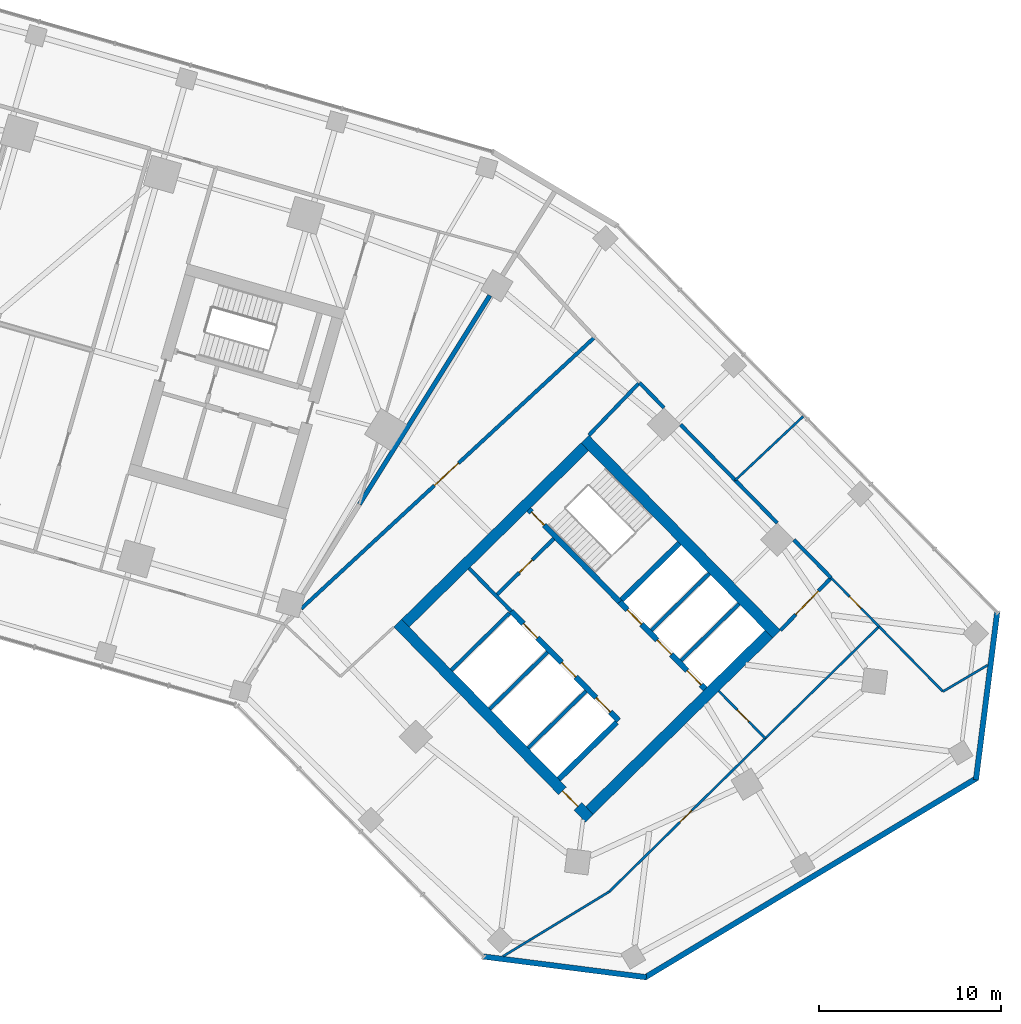
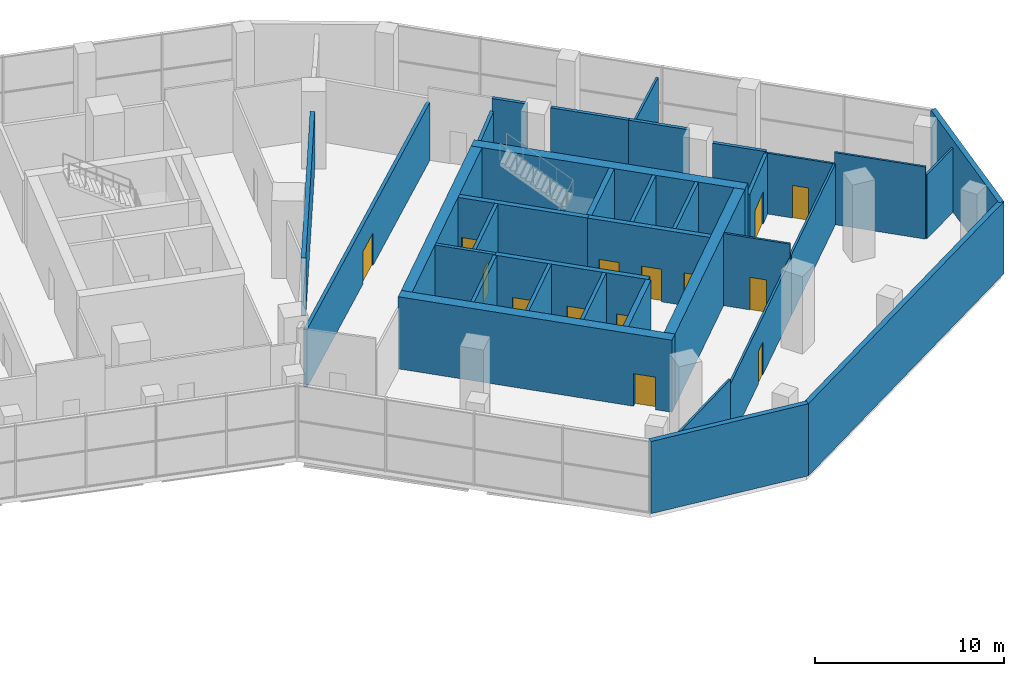
# One storey, part 14 of 18: 35 walls, 14 doors, 14 openings.
"""IFC4 building model written with IfcOpenShell, lengths in metres."""

from ifc_helpers import new_model, si_unit, direction, frame, frame_2d, origin, place, context, subcontext, project, spatial, rectangle, extrude, material, layer, layer_set, type_object, element, fill, save


model = new_model("IFC4")

# Units and contexts
model_context = context("Model", 3, precision=1e-05, world=origin(), true_north=direction((0.0, 1.0)))
body_context = subcontext(model_context, "Body", "Model", "MODEL_VIEW")
ifc_project = project(units=[si_unit("LENGTHUNIT", "METRE"), si_unit("AREAUNIT", "SQUARE_METRE"), si_unit("VOLUMEUNIT", "CUBIC_METRE"), si_unit("PLANEANGLEUNIT", "RADIAN"), si_unit("MASSUNIT", "GRAM", prefix="KILO")], contexts=[model_context])

# Site, building, storey
site_placement = place(None, origin())
site = spatial("IfcSite", under=ifc_project, at=site_placement, CompositionType="ELEMENT")
building_placement = place(site_placement, origin())
building = spatial("IfcBuilding", under=site, at=building_placement, Name="Binnacle Exchange Tower", CompositionType="ELEMENT")
storey_placement = place(building_placement, frame((0.0, 0.0, 6.5)))
storey = spatial("IfcBuildingStorey", under=building, at=storey_placement, Name="L01", CompositionType="ELEMENT", Elevation=6.5)

# Wall, openings, doors
ifc_material_1 = material(Name="Concrete C70/85", Category="concrete")
ifc_layer_1 = layer(ifc_material_1, 0.300048828125)
ifc_layer_set_1 = layer_set([ifc_layer_1], Name="Core wall - front 300")
wall_type_1 = type_object("IfcWallType", Name="Core wall - front 300", PredefinedType="SOLIDWALL", material=ifc_layer_set_1)
wall_1_placement = place(storey_placement, frame((37.8740234375, 41.41552734375, 0.0), z_axis=(0.0, 0.0, 1.0), x_axis=(0.700918271237, -0.71324159795, 0.0)))
wall_1 = element("IfcWall", 1, at=wall_1_placement, inside=storey, type_object=wall_type_1, Name="Core wall CRWB3", PredefinedType="SOLIDWALL", context=body_context, shape_type="SweptSolid", body=[
    extrude(rectangle(XDim=8.39990234375, YDim=0.300048828125, at=frame_2d((4.199951171875, 0.0))), origin(), (0.0, 0.0, 1.0), 4.64990234375),
])
opening_1_placement = place(wall_1_placement, frame((0.949951171875, 0.0, 0.0)))
opening_1 = element("IfcOpeningElement", 2, at=opening_1_placement, cuts=wall_1, Name="Opening LD15", PredefinedType="OPENING", context=body_context, shape_type="SweptSolid", body=[
    extrude(rectangle(XDim=1.10009765625, YDim=2.10009765625, at=frame_2d((0.550048828125, 1.050048828125))), frame((0.0, 0.159912109375, 0.0), z_axis=(0.0, -1.0, 0.0), x_axis=(1.0, 0.0, 0.0)), (0.0, 0.0, 1.0), 0.320068359375),
])
opening_2_placement = place(wall_1_placement, frame((3.949951171875, 0.0, 0.0)))
opening_2 = element("IfcOpeningElement", 3, at=opening_2_placement, cuts=wall_1, Name="Opening LD16", PredefinedType="OPENING", context=body_context, shape_type="SweptSolid", body=[
    extrude(rectangle(XDim=1.10009765625, YDim=2.10009765625, at=frame_2d((0.550048828125, 1.050048828125))), frame((0.0, 0.159912109375, 0.0), z_axis=(0.0, -1.0, 0.0), x_axis=(1.0, 0.0, 0.0)), (0.0, 0.0, 1.0), 0.320068359375),
])
opening_3_placement = place(wall_1_placement, frame((6.64990234375, 0.0, 0.0)))
opening_3 = element("IfcOpeningElement", 4, at=opening_3_placement, cuts=wall_1, Name="Opening LD4", PredefinedType="OPENING", context=body_context, shape_type="SweptSolid", body=[
    extrude(rectangle(XDim=1.10009765625, YDim=2.10009765625, at=frame_2d((0.550048828125, 1.050048828125))), frame((0.0, 0.159912109375, 0.0), z_axis=(0.0, -1.0, 0.0), x_axis=(1.0, 0.0, 0.0)), (0.0, 0.0, 1.0), 0.320068359375),
])
ifc_material_2 = material(Name="Steel door leaf", Category="steel")
door_type_1 = type_object("IfcDoorType", Name="Fire door - lift landing 1100", OperationType="NOTDEFINED", PredefinedType="DOOR", material=ifc_material_2)
door_1_placement = place(opening_1_placement, origin())
door_1 = element("IfcDoor", 5, at=door_1_placement, inside=storey, type_object=door_type_1, Name="Landing door LD15 L01", OperationType="DOUBLE_DOOR_SLIDING", OverallHeight=2.10009765625, OverallWidth=1.10009765625, PredefinedType="DOOR", context=body_context, shape_type="SweptSolid", body=[
    extrude(rectangle(XDim=1.10009765625, YDim=2.10009765625, at=frame_2d((0.550048828125, 1.050048828125))), frame((0.0, 0.02490234375, 0.0), z_axis=(0.0, -1.0, 0.0), x_axis=(1.0, 0.0, 0.0)), (0.0, 0.0, 1.0), 0.050048828125),
])
fill(opening_1, door_1)
door_2_placement = place(opening_2_placement, origin())
door_2 = element("IfcDoor", 6, at=door_2_placement, inside=storey, type_object=door_type_1, Name="Landing door LD16 L01", OperationType="DOUBLE_DOOR_SLIDING", OverallHeight=2.10009765625, OverallWidth=1.10009765625, PredefinedType="DOOR", context=body_context, shape_type="SweptSolid", body=[
    extrude(rectangle(XDim=1.10009765625, YDim=2.10009765625, at=frame_2d((0.550048828125, 1.050048828125))), frame((0.0, 0.02490234375, 0.0), z_axis=(0.0, -1.0, 0.0), x_axis=(1.0, 0.0, 0.0)), (0.0, 0.0, 1.0), 0.050048828125),
])
fill(opening_2, door_2)
door_3_placement = place(opening_3_placement, origin())
door_3 = element("IfcDoor", 7, at=door_3_placement, inside=storey, type_object=door_type_1, Name="Landing door LD4 L01", OperationType="DOUBLE_DOOR_SLIDING", OverallHeight=2.10009765625, OverallWidth=1.10009765625, PredefinedType="DOOR", context=body_context, shape_type="SweptSolid", body=[
    extrude(rectangle(XDim=1.10009765625, YDim=2.10009765625, at=frame_2d((0.550048828125, 1.050048828125))), frame((0.0, 0.02490234375, 0.0), z_axis=(0.0, -1.0, 0.0), x_axis=(1.0, 0.0, 0.0)), (0.0, 0.0, 1.0), 0.050048828125),
])
fill(opening_3, door_3)

wall_2_placement = place(storey_placement, frame((43.818603515625, 41.92919921875, 0.0), z_axis=(0.0, 0.0, 1.0), x_axis=(0.700921619155, -0.713238307862, 0.0)))
wall_2 = element("IfcWall", 8, at=wall_2_placement, inside=storey, type_object=wall_type_1, Name="Core wall CRWB5", PredefinedType="SOLIDWALL", context=body_context, shape_type="SweptSolid", body=[
    extrude(rectangle(XDim=6.69970703125, YDim=0.300048828125, at=frame_2d((3.349853515625, 0.0))), origin(), (0.0, 0.0, 1.0), 4.64990234375),
])
opening_4_placement = place(wall_2_placement, frame((0.614990234375, 0.0, 0.0)))
opening_4 = element("IfcOpeningElement", 9, at=opening_4_placement, cuts=wall_2, Name="Opening LD1", PredefinedType="OPENING", context=body_context, shape_type="SweptSolid", body=[
    extrude(rectangle(XDim=1.10009765625, YDim=2.10009765625, at=frame_2d((0.550048828125, 1.050048828125))), frame((0.0, 0.159912109375, 0.0), z_axis=(0.0, -1.0, 0.0), x_axis=(1.0, 0.0, 0.0)), (0.0, 0.0, 1.0), 0.320068359375),
])
opening_5_placement = place(wall_2_placement, frame((2.945068359375, 0.0, 0.0)))
opening_5 = element("IfcOpeningElement", 10, at=opening_5_placement, cuts=wall_2, Name="Opening LD2", PredefinedType="OPENING", context=body_context, shape_type="SweptSolid", body=[
    extrude(rectangle(XDim=1.10009765625, YDim=2.10009765625, at=frame_2d((0.550048828125, 1.050048828125))), frame((0.0, 0.159912109375, 0.0), z_axis=(0.0, -1.0, 0.0), x_axis=(1.0, 0.0, 0.0)), (0.0, 0.0, 1.0), 0.320068359375),
])
opening_6_placement = place(wall_2_placement, frame((5.280029296875, 0.0, 0.0)))
opening_6 = element("IfcOpeningElement", 11, at=opening_6_placement, cuts=wall_2, Name="Opening LD3", PredefinedType="OPENING", context=body_context, shape_type="SweptSolid", body=[
    extrude(rectangle(XDim=1.10009765625, YDim=2.10009765625, at=frame_2d((0.550048828125, 1.050048828125))), frame((0.0, 0.159912109375, 0.0), z_axis=(0.0, -1.0, 0.0), x_axis=(1.0, 0.0, 0.0)), (0.0, 0.0, 1.0), 0.320068359375),
])
door_4_placement = place(opening_4_placement, origin())
door_4 = element("IfcDoor", 12, at=door_4_placement, inside=storey, type_object=door_type_1, Name="Landing door LD1 L01", OperationType="DOUBLE_DOOR_SLIDING", OverallHeight=2.10009765625, OverallWidth=1.10009765625, PredefinedType="DOOR", context=body_context, shape_type="SweptSolid", body=[
    extrude(rectangle(XDim=1.10009765625, YDim=2.10009765625, at=frame_2d((0.550048828125, 1.050048828125))), frame((0.0, 0.02490234375, 0.0), z_axis=(0.0, -1.0, 0.0), x_axis=(1.0, 0.0, 0.0)), (0.0, 0.0, 1.0), 0.050048828125),
])
fill(opening_4, door_4)
door_5_placement = place(opening_5_placement, origin())
door_5 = element("IfcDoor", 13, at=door_5_placement, inside=storey, type_object=door_type_1, Name="Landing door LD2 L01", OperationType="DOUBLE_DOOR_SLIDING", OverallHeight=2.10009765625, OverallWidth=1.10009765625, PredefinedType="DOOR", context=body_context, shape_type="SweptSolid", body=[
    extrude(rectangle(XDim=1.10009765625, YDim=2.10009765625, at=frame_2d((0.550048828125, 1.050048828125))), frame((0.0, 0.02490234375, 0.0), z_axis=(0.0, -1.0, 0.0), x_axis=(1.0, 0.0, 0.0)), (0.0, 0.0, 1.0), 0.050048828125),
])
fill(opening_5, door_5)
door_6_placement = place(opening_6_placement, origin())
door_6 = element("IfcDoor", 14, at=door_6_placement, inside=storey, type_object=door_type_1, Name="Landing door LD3 L01", OperationType="DOUBLE_DOOR_SLIDING", OverallHeight=2.10009765625, OverallWidth=1.10009765625, PredefinedType="DOOR", context=body_context, shape_type="SweptSolid", body=[
    extrude(rectangle(XDim=1.10009765625, YDim=2.10009765625, at=frame_2d((0.550048828125, 1.050048828125))), frame((0.0, 0.02490234375, 0.0), z_axis=(0.0, -1.0, 0.0), x_axis=(1.0, 0.0, 0.0)), (0.0, 0.0, 1.0), 0.050048828125),
])
fill(opening_6, door_6)

# Wall
wall_3_placement = place(storey_placement, frame((40.480712890625, 32.199951171875, 0.0), z_axis=(0.0, 0.0, 1.0), x_axis=(0.713251741427, 0.700907949271, 0.0)))
element("IfcWall", 15, at=wall_3_placement, inside=storey, type_object=wall_type_1, Name="Core wall CRWB14", PredefinedType="SOLIDWALL", context=body_context, shape_type="SweptSolid", body=[
    extrude(rectangle(XDim=4.4501953125, YDim=0.300048828125, at=frame_2d((2.22509765625, 0.0))), origin(), (0.0, 0.0, 1.0), 4.64990234375),
])

# Wall, opening, door
ifc_layer_2 = layer(ifc_material_1, 0.60009765625)
ifc_layer_set_2 = layer_set([ifc_layer_2], Name="Core wall - outer 600")
wall_type_2 = type_object("IfcWallType", Name="Core wall - outer 600", PredefinedType="SOLIDWALL", material=ifc_layer_set_2)
wall_4_placement = place(storey_placement, frame((31.6455078125, 40.7626953125, 0.0), z_axis=(0.0, 0.0, 1.0), x_axis=(0.700911255944, -0.713248491965, 0.0)))
wall_4 = element("IfcWall", 16, at=wall_4_placement, inside=storey, type_object=wall_type_2, Name="Core wall CRWB1", PredefinedType="SOLIDWALL", context=body_context, shape_type="SweptSolid", body=[
    extrude(rectangle(XDim=15.0, YDim=0.60009765625, at=frame_2d((7.5, 0.0))), origin(), (0.0, 0.0, 1.0), 4.64990234375),
])
opening_7_placement = place(wall_4_placement, frame((12.89990234375, 0.0, 0.0)))
opening_7 = element("IfcOpeningElement", 17, at=opening_7_placement, cuts=wall_4, Name="Opening DB7", PredefinedType="OPENING", context=body_context, shape_type="SweptSolid", body=[
    extrude(rectangle(XDim=1.199951171875, YDim=2.10009765625, at=frame_2d((0.60009765625, 1.050048828125))), frame((0.0, 0.31005859375, 0.0), z_axis=(0.0, -1.0, 0.0), x_axis=(1.0, 0.0, 0.0)), (0.0, 0.0, 1.0), 0.6201171875),
])
door_type_2 = type_object("IfcDoorType", Name="Fire door 1200", OperationType="NOTDEFINED", PredefinedType="DOOR", material=ifc_material_2)
door_7_placement = place(opening_7_placement, frame((1.199951171875, 0.0, 0.0), z_axis=(0.0, 0.0, 1.0), x_axis=(-1.0, 0.0, 0.0)))
door_7 = element("IfcDoor", 18, at=door_7_placement, inside=storey, type_object=door_type_2, Name="Lift lobby entrance door core B", OperationType="SINGLE_SWING_LEFT", OverallHeight=2.10009765625, OverallWidth=1.199951171875, PredefinedType="DOOR", context=body_context, shape_type="SweptSolid", body=[
    extrude(rectangle(XDim=1.199951171875, YDim=2.10009765625, at=frame_2d((0.60009765625, 1.050048828125))), frame((0.0, 0.02490234375, 0.0), z_axis=(0.0, -1.0, 0.0), x_axis=(1.0, 0.0, 0.0)), (0.0, 0.0, 1.0), 0.050048828125),
])
fill(opening_7, door_7)

# Walls
wall_5_placement = place(storey_placement, frame((41.91650390625, 50.855712890625, 0.0), z_axis=(0.0, 0.0, 1.0), x_axis=(0.700911255944, -0.713248491965, 0.0)))
element("IfcWall", 19, at=wall_5_placement, inside=storey, type_object=wall_type_2, Name="Core wall CRWB6", PredefinedType="SOLIDWALL", context=body_context, shape_type="SweptSolid", body=[
    extrude(rectangle(XDim=15.0, YDim=0.60009765625, at=frame_2d((7.5, 0.0))), origin(), (0.0, 0.0, 1.0), 4.64990234375),
])
for number, where, z_axis, x_axis, name in (
    (20, (32.06982421875, 40.759033203125, 0.0), (0.0, 0.0, 1.0), (0.713245344712, 0.70091445858, 0.0), "Core wall CRWB7"),
    (21, (42.1630859375, 30.48828125, 0.0), (0.0, 0.0, 1.0), (0.713245344712, 0.70091445858, 0.0), "Core wall CRWB16"),
):
    element("IfcWall", number, at=place(storey_placement, frame(where, z_axis=z_axis, x_axis=x_axis)), inside=storey, type_object=wall_type_2, Name=name, PredefinedType="SOLIDWALL", context=body_context, shape_type="SweptSolid", body=[
        extrude(rectangle(XDim=13.800048828125, YDim=0.60009765625, at=frame_2d((6.89990234375, 0.0))), origin(), (0.0, 0.0, 1.0), 4.64990234375),
    ])

# Wall, opening, door
ifc_layer_3 = layer(ifc_material_1, 0.300048828125)
ifc_layer_set_3 = layer_set([ifc_layer_3], Name="Core wall - stair 300")
wall_type_3 = type_object("IfcWallType", Name="Core wall - stair 300", PredefinedType="SOLIDWALL", material=ifc_layer_set_3)
wall_6_placement = place(storey_placement, frame((38.842041015625, 46.993408203125, 0.0), z_axis=(0.0, 0.0, 1.0), x_axis=(0.700907701701, -0.713251984713, 0.0)))
wall_6 = element("IfcWall", 22, at=wall_6_placement, inside=storey, type_object=wall_type_3, Name="Core wall CRWB4", PredefinedType="SOLIDWALL", context=body_context, shape_type="SweptSolid", body=[
    extrude(rectangle(XDim=7.10009765625, YDim=0.300048828125, at=frame_2d((3.550048828125, 0.0))), origin(), (0.0, 0.0, 1.0), 4.64990234375),
])
opening_8_placement = place(wall_6_placement, frame((0.199951171875, 0.0, 0.0)))
opening_8 = element("IfcOpeningElement", 23, at=opening_8_placement, cuts=wall_6, Name="Opening DB1", PredefinedType="OPENING", context=body_context, shape_type="SweptSolid", body=[
    extrude(rectangle(XDim=1.0, YDim=2.10009765625, at=frame_2d((0.5, 1.050048828125))), frame((0.0, 0.159912109375, 0.0), z_axis=(0.0, -1.0, 0.0), x_axis=(1.0, 0.0, 0.0)), (0.0, 0.0, 1.0), 0.320068359375),
])
door_type_3 = type_object("IfcDoorType", Name="Fire door 1000", OperationType="NOTDEFINED", PredefinedType="DOOR", material=ifc_material_2)
door_8_placement = place(opening_8_placement, origin())
door_8 = element("IfcDoor", 24, at=door_8_placement, inside=storey, type_object=door_type_3, Name="Stair door ST-B1", OperationType="SINGLE_SWING_LEFT", OverallHeight=2.10009765625, OverallWidth=1.0, PredefinedType="DOOR", context=body_context, shape_type="SweptSolid", body=[
    extrude(rectangle(XDim=1.0, YDim=2.10009765625, at=frame_2d((0.5, 1.050048828125))), frame((0.0, 0.02490234375, 0.0), z_axis=(0.0, -1.0, 0.0), x_axis=(1.0, 0.0, 0.0)), (0.0, 0.0, 1.0), 0.050048828125),
])
fill(opening_8, door_8)

# Walls
wall_7_placement = place(storey_placement, frame((43.925537109375, 42.034423828125, 0.0), z_axis=(0.0, 0.0, 1.0), x_axis=(0.713251741427, 0.700907949271, 0.0)))
element("IfcWall", 25, at=wall_7_placement, inside=storey, type_object=wall_type_3, Name="Core wall CRWB11", PredefinedType="SOLIDWALL", context=body_context, shape_type="SweptSolid", body=[
    extrude(rectangle(XDim=4.4501953125, YDim=0.300048828125, at=frame_2d((2.22509765625, 0.0))), origin(), (0.0, 0.0, 1.0), 4.64990234375),
])
ifc_material_3 = material(Name="Bronze aluminium louvre", Category="aluminium")
ifc_layer_4 = layer(ifc_material_3, 0.300048828125)
ifc_layer_set_4 = layer_set([ifc_layer_4], Name="External wall - podium louvre 300")
wall_type_4 = type_object("IfcWallType", Name="External wall - podium louvre 300", PredefinedType="STANDARD", material=ifc_layer_set_4)
wall_8_placement = place(storey_placement, frame((45.28466796875, 21.339111328125, 0.0), z_axis=(0.0, 0.0, 1.0), x_axis=(-0.992004683779, 0.126201059267, 0.0)))
element("IfcWall", 26, at=wall_8_placement, inside=storey, type_object=wall_type_4, Name="External wall EW-P09 L01", PredefinedType="STANDARD", context=body_context, shape_type="SweptSolid", body=[
    extrude(rectangle(XDim=9.028564453125, YDim=0.300048828125, at=frame_2d((4.51416015625, 0.0))), origin(), (0.0, 0.0, 1.0), 4.64990234375),
])
wall_9_placement = place(storey_placement, frame((63.432373046875, 32.28076171875, 0.0), z_axis=(0.0, 0.0, 1.0), x_axis=(-0.85716989082, -0.515033764206, 0.0)))
element("IfcWall", 27, at=wall_9_placement, inside=storey, type_object=wall_type_4, Name="External wall EW-P10 L01", PredefinedType="STANDARD", context=body_context, shape_type="SweptSolid", body=[
    extrude(rectangle(XDim=21.283935546875, YDim=0.300048828125, at=frame_2d((10.64208984375, 0.0))), origin(), (0.0, 0.0, 1.0), 4.64990234375),
])
wall_10_placement = place(storey_placement, frame((64.5341796875, 41.39453125, 0.0), z_axis=(0.0, 0.0, 1.0), x_axis=(-0.126196492818, -0.992005264704, 0.0)))
element("IfcWall", 28, at=wall_10_placement, inside=storey, type_object=wall_type_4, Name="External wall EW-P11 L01", PredefinedType="STANDARD", context=body_context, shape_type="SweptSolid", body=[
    extrude(rectangle(XDim=9.297607421875, YDim=0.300048828125, at=frame_2d((4.64892578125, 0.0))), origin(), (0.0, 0.0, 1.0), 4.64990234375),
])

# Wall, opening, door
ifc_material_4 = material(Name="Masonry block wall", Category="masonry")
ifc_layer_5 = layer(ifc_material_4, 0.199951171875)
ifc_layer_set_5 = layer_set([ifc_layer_5], Name="Fire wall - block 200")
wall_type_5 = type_object("IfcWallType", Name="Fire wall - block 200", PredefinedType="PARTITIONING", material=ifc_layer_set_5)
wall_11_placement = place(storey_placement, frame((26.35595703125, 41.556884765625, 0.0), z_axis=(0.0, 0.0, 1.0), x_axis=(0.734047402287, 0.679098233834, 0.0)))
wall_11 = element("IfcWall", 29, at=wall_11_placement, inside=storey, type_object=wall_type_5, Name="Partition W71", PredefinedType="PARTITIONING", context=body_context, shape_type="SweptSolid", body=[
    extrude(rectangle(XDim=21.92626953125, YDim=0.199951171875, at=frame_2d((10.963134765625, 0.0))), origin(), (0.0, 0.0, 1.0), 3.72998046875),
])
opening_9_placement = place(wall_11_placement, frame((9.949951171875, 0.0, 0.0)))
opening_9 = element("IfcOpeningElement", 30, at=opening_9_placement, cuts=wall_11, Name="Opening DL01-29", PredefinedType="OPENING", context=body_context, shape_type="SweptSolid", body=[
    extrude(rectangle(XDim=1.800048828125, YDim=2.10009765625, at=frame_2d((0.89990234375, 1.050048828125))), frame((0.0, 0.10986328125, 0.0), z_axis=(0.0, -1.0, 0.0), x_axis=(1.0, 0.0, 0.0)), (0.0, 0.0, 1.0), 0.219970703125),
])
door_type_4 = type_object("IfcDoorType", Name="Fire door 1800", OperationType="NOTDEFINED", PredefinedType="DOOR", material=ifc_material_2)
door_9_placement = place(opening_9_placement, origin())
door_9 = element("IfcDoor", 31, at=door_9_placement, inside=storey, type_object=door_type_4, Name="Door DL01-29", OperationType="DOUBLE_DOOR_SINGLE_SWING", OverallHeight=2.10009765625, OverallWidth=1.800048828125, PredefinedType="DOOR", context=body_context, shape_type="SweptSolid", body=[
    extrude(rectangle(XDim=1.800048828125, YDim=2.10009765625, at=frame_2d((0.89990234375, 1.050048828125))), frame((0.0, 0.02490234375, 0.0), z_axis=(0.0, -1.0, 0.0), x_axis=(1.0, 0.0, 0.0)), (0.0, 0.0, 1.0), 0.050048828125),
])
fill(opening_9, door_9)

# Walls
wall_12_placement = place(storey_placement, frame((42.1298828125, 51.06591796875, 0.0), z_axis=(0.0, 0.0, 1.0), x_axis=(0.693124563472, 0.720817826855, 0.0)))
element("IfcWall", 32, at=wall_12_placement, inside=storey, type_object=wall_type_5, Name="Partition W84", PredefinedType="PARTITIONING", context=body_context, shape_type="SweptSolid", body=[
    extrude(rectangle(XDim=4.00244140625, YDim=0.199951171875, at=frame_2d((2.001220703125, 0.0))), origin(), (0.0, 0.0, 1.0), 3.830078125),
])
wall_13_placement = place(storey_placement, frame((44.904052734375, 53.950927734375, 0.0), z_axis=(0.0, 0.0, 1.0), x_axis=(0.7008501288, -0.713308556629, 0.0)))
element("IfcWall", 33, at=wall_13_placement, inside=storey, type_object=wall_type_5, Name="Partition W87", PredefinedType="PARTITIONING", context=body_context, shape_type="SweptSolid", body=[
    extrude(rectangle(XDim=1.92041015625, YDim=0.199951171875, at=frame_2d((0.960205078125, 0.0))), origin(), (0.0, 0.0, 1.0), 4.64990234375),
])
wall_14_placement = place(storey_placement, frame((47.162109375, 51.654052734375, 0.0), z_axis=(0.0, 0.0, 1.0), x_axis=(0.700745868246, -0.713410981228, 0.0)))
element("IfcWall", 34, at=wall_14_placement, inside=storey, type_object=wall_type_5, Name="Partition W88", PredefinedType="PARTITIONING", context=body_context, shape_type="SweptSolid", body=[
    extrude(rectangle(XDim=4.279296875, YDim=0.199951171875, at=frame_2d((2.1396484375, 0.0))), origin(), (0.0, 0.0, 1.0), 4.64990234375),
])
wall_15_placement = place(storey_placement, frame((50.160888671875, 48.60107421875, 0.0), z_axis=(0.0, 0.0, 1.0), x_axis=(0.701000458272, -0.713160821626, 0.0)))
element("IfcWall", 35, at=wall_15_placement, inside=storey, type_object=wall_type_5, Name="Partition W90", PredefinedType="PARTITIONING", context=body_context, shape_type="SweptSolid", body=[
    extrude(rectangle(XDim=3.29248046875, YDim=0.199951171875, at=frame_2d((1.646240234375, 0.0))), origin(), (0.0, 0.0, 1.0), 4.64990234375),
])

# Wall, opening, door
wall_16_placement = place(storey_placement, frame((52.64404296875, 40.366943359375, 0.0), z_axis=(0.0, 0.0, 1.0), x_axis=(0.693092868026, 0.720848303245, 0.0)))
wall_16 = element("IfcWall", 36, at=wall_16_placement, inside=storey, type_object=wall_type_5, Name="Partition W93", PredefinedType="PARTITIONING", context=body_context, shape_type="SweptSolid", body=[
    extrude(rectangle(XDim=4.002197265625, YDim=0.199951171875, at=frame_2d((2.0009765625, 0.0))), origin(), (0.0, 0.0, 1.0), 3.922119140625),
])
opening_10_placement = place(wall_16_placement, frame((1.199951171875, 0.0, 0.0)))
opening_10 = element("IfcOpeningElement", 37, at=opening_10_placement, cuts=wall_16, Name="Opening DL01-31", PredefinedType="OPENING", context=body_context, shape_type="SweptSolid", body=[
    extrude(rectangle(XDim=1.800048828125, YDim=2.10009765625, at=frame_2d((0.89990234375, 1.050048828125))), frame((0.0, 0.10986328125, 0.0), z_axis=(0.0, -1.0, 0.0), x_axis=(1.0, 0.0, 0.0)), (0.0, 0.0, 1.0), 0.219970703125),
])
door_10_placement = place(opening_10_placement, origin())
door_10 = element("IfcDoor", 38, at=door_10_placement, inside=storey, type_object=door_type_4, Name="Door DL01-31", OperationType="DOUBLE_DOOR_SINGLE_SWING", OverallHeight=2.10009765625, OverallWidth=1.800048828125, PredefinedType="DOOR", context=body_context, shape_type="SweptSolid", body=[
    extrude(rectangle(XDim=1.800048828125, YDim=2.10009765625, at=frame_2d((0.89990234375, 1.050048828125))), frame((0.0, 0.02490234375, 0.0), z_axis=(0.0, -1.0, 0.0), x_axis=(1.0, 0.0, 0.0)), (0.0, 0.0, 1.0), 0.050048828125),
])
fill(opening_10, door_10)

# Walls
wall_17_placement = place(storey_placement, frame((53.3798828125, 45.325927734375, 0.0), z_axis=(0.0, 0.0, 1.0), x_axis=(0.700908698341, -0.71325100532, 0.0)))
element("IfcWall", 39, at=wall_17_placement, inside=storey, type_object=wall_type_5, Name="Partition W94", PredefinedType="PARTITIONING", context=body_context, shape_type="SweptSolid", body=[
    extrude(rectangle(XDim=2.90771484375, YDim=0.199951171875, at=frame_2d((1.453857421875, 0.0))), origin(), (0.0, 0.0, 1.0), 4.030029296875),
])
ifc_material_5 = material(Name="Concrete fire wall C30/37", Category="concrete")
ifc_layer_6 = layer(ifc_material_5, 0.25)
ifc_layer_set_6 = layer_set([ifc_layer_6], Name="Fire wall - compartment 250")
wall_type_6 = type_object("IfcWallType", Name="Fire wall - compartment 250", PredefinedType="PARTITIONING", material=ifc_layer_set_6)
wall_18_placement = place(storey_placement, frame((29.54296875, 47.279052734375, 0.0), z_axis=(0.0, 0.0, 1.0), x_axis=(0.529929076845, 0.848041964477, 0.0)))
element("IfcWall", 40, at=wall_18_placement, inside=storey, type_object=wall_type_6, Name="Fire Wall W76", PredefinedType="PARTITIONING", context=body_context, shape_type="SweptSolid", body=[
    extrude(rectangle(XDim=13.50732421875, YDim=0.25, at=frame_2d((6.753662109375, 0.0))), origin(), (0.0, 0.0, 1.0), 3.72998046875),
])

# Wall, opening, door
ifc_layer_7 = layer(ifc_material_4, 0.199951171875)
ifc_layer_set_7 = layer_set([ifc_layer_7], Name="Fire wall - vestibule 200")
wall_type_7 = type_object("IfcWallType", Name="Fire wall - vestibule 200", PredefinedType="PARTITIONING", material=ifc_layer_set_7)
wall_19_placement = place(storey_placement, frame((37.104248046875, 42.341552734375, 0.0), z_axis=(0.0, 0.0, 1.0), x_axis=(0.713281298468, 0.700877870428, 0.0)))
wall_19 = element("IfcWall", 41, at=wall_19_placement, inside=storey, type_object=wall_type_7, Name="Core wall CRWB8", PredefinedType="PARTITIONING", context=body_context, shape_type="SweptSolid", body=[
    extrude(rectangle(XDim=4.35009765625, YDim=0.199951171875, at=frame_2d((2.175048828125, 0.0))), origin(), (0.0, 0.0, 1.0), 4.64990234375),
])
opening_11_placement = place(wall_19_placement, frame((1.699951171875, 0.0, 0.0)))
opening_11 = element("IfcOpeningElement", 42, at=opening_11_placement, cuts=wall_19, Name="Opening DB3", PredefinedType="OPENING", context=body_context, shape_type="SweptSolid", body=[
    extrude(rectangle(XDim=1.0, YDim=2.10009765625, at=frame_2d((0.5, 1.050048828125))), frame((0.0, 0.10986328125, 0.0), z_axis=(0.0, -1.0, 0.0), x_axis=(1.0, 0.0, 0.0)), (0.0, 0.0, 1.0), 0.219970703125),
])
door_11_placement = place(opening_11_placement, origin())
door_11 = element("IfcDoor", 43, at=door_11_placement, inside=storey, type_object=door_type_3, Name="Vestibule door VEST-W", OperationType="SINGLE_SWING_RIGHT", OverallHeight=2.10009765625, OverallWidth=1.0, PredefinedType="DOOR", context=body_context, shape_type="SweptSolid", body=[
    extrude(rectangle(XDim=1.0, YDim=2.10009765625, at=frame_2d((0.5, 1.050048828125))), frame((0.0, 0.02490234375, 0.0), z_axis=(0.0, -1.0, 0.0), x_axis=(1.0, 0.0, 0.0)), (0.0, 0.0, 1.0), 0.050048828125),
])
fill(opening_11, door_11)

# Wall
ifc_material_6 = material(Name="Gypsum partition")
ifc_layer_8 = layer(ifc_material_6, 0.125)
ifc_layer_set_8 = layer_set([ifc_layer_8], Name="Partition 125")
wall_type_8 = type_object("IfcWallType", Name="Partition 125", PredefinedType="PARTITIONING", material=ifc_layer_set_8)
wall_20_placement = place(storey_placement, frame((37.426025390625, 22.489990234375, 0.0), z_axis=(0.0, 0.0, 1.0), x_axis=(0.854177797602, 0.519981047812, 0.0)))
element("IfcWall", 44, at=wall_20_placement, inside=storey, type_object=wall_type_8, Name="Partition W81", PredefinedType="PARTITIONING", context=body_context, shape_type="SweptSolid", body=[
    extrude(rectangle(XDim=6.813720703125, YDim=0.125, at=frame_2d((3.40673828125, 0.0))), origin(), (0.0, 0.0, 1.0), 4.02392578125),
])

# Wall, opening, door
wall_21_placement = place(storey_placement, frame((43.24609375, 26.032958984375, 0.0), z_axis=(0.0, 0.0, 1.0), x_axis=(0.713234358052, 0.700925638349, 0.0)))
wall_21 = element("IfcWall", 45, at=wall_21_placement, inside=storey, type_object=wall_type_8, Name="Partition W86", PredefinedType="PARTITIONING", context=body_context, shape_type="SweptSolid", body=[
    extrude(rectangle(XDim=12.0, YDim=0.125, at=frame_2d((6.0, 0.0))), origin(), (0.0, 0.0, 1.0), 3.718017578125),
])
opening_12_placement = place(wall_21_placement, frame((5.449951171875, 0.0, 0.0)))
opening_12 = element("IfcOpeningElement", 46, at=opening_12_placement, cuts=wall_21, Name="Opening DL01-30", PredefinedType="OPENING", context=body_context, shape_type="SweptSolid", body=[
    extrude(rectangle(XDim=0.89990234375, YDim=2.10009765625, at=frame_2d((0.449951171875, 1.050048828125))), frame((0.0, 0.072509765625, 0.0), z_axis=(0.0, -1.0, 0.0), x_axis=(1.0, 0.0, 0.0)), (0.0, 0.0, 1.0), 0.14501953125),
])
ifc_material_7 = material(Name="Timber door leaf", Category="wood")
door_type_5 = type_object("IfcDoorType", Name="Door 900", OperationType="NOTDEFINED", PredefinedType="DOOR", material=ifc_material_7)
door_12_placement = place(opening_12_placement, frame((0.89990234375, 0.0, 0.0), z_axis=(0.0, 0.0, 1.0), x_axis=(-1.0, 0.0, 0.0)))
door_12 = element("IfcDoor", 47, at=door_12_placement, inside=storey, type_object=door_type_5, Name="Door DL01-30", OperationType="SINGLE_SWING_RIGHT", OverallHeight=2.10009765625, OverallWidth=0.89990234375, PredefinedType="DOOR", context=body_context, shape_type="SweptSolid", body=[
    extrude(rectangle(XDim=0.89990234375, YDim=2.10009765625, at=frame_2d((0.449951171875, 1.050048828125))), frame((0.0, 0.02490234375, 0.0), z_axis=(0.0, -1.0, 0.0), x_axis=(1.0, 0.0, 0.0)), (0.0, 0.0, 1.0), 0.050048828125),
])
fill(opening_12, door_12)

wall_22_placement = place(storey_placement, frame((49.256103515625, 37.0380859375, 0.0), z_axis=(0.0, 0.0, 1.0), x_axis=(0.700869700408, -0.713289326325, 0.0)))
wall_22 = element("IfcWall", 48, at=wall_22_placement, inside=storey, type_object=wall_type_8, Name="Partition W89", PredefinedType="PARTITIONING", context=body_context, shape_type="SweptSolid", body=[
    extrude(rectangle(XDim=3.63671875, YDim=0.125, at=frame_2d((1.818359375, 0.0))), origin(), (0.0, 0.0, 1.0), 4.64990234375),
])
opening_13_placement = place(wall_22_placement, frame((1.449951171875, 0.0, 0.0)))
opening_13 = element("IfcOpeningElement", 49, at=opening_13_placement, cuts=wall_22, Name="Opening DL01-26", PredefinedType="OPENING", context=body_context, shape_type="SweptSolid", body=[
    extrude(rectangle(XDim=0.89990234375, YDim=2.10009765625, at=frame_2d((0.449951171875, 1.050048828125))), frame((0.0, 0.072509765625, 0.0), z_axis=(0.0, -1.0, 0.0), x_axis=(1.0, 0.0, 0.0)), (0.0, 0.0, 1.0), 0.14501953125),
])
door_13_placement = place(opening_13_placement, origin())
door_13 = element("IfcDoor", 50, at=door_13_placement, inside=storey, type_object=door_type_5, Name="Door DL01-26", OperationType="SINGLE_SWING_RIGHT", OverallHeight=2.10009765625, OverallWidth=0.89990234375, PredefinedType="DOOR", context=body_context, shape_type="SweptSolid", body=[
    extrude(rectangle(XDim=0.89990234375, YDim=2.10009765625, at=frame_2d((0.449951171875, 1.050048828125))), frame((0.0, 0.02490234375, 0.0), z_axis=(0.0, -1.0, 0.0), x_axis=(1.0, 0.0, 0.0)), (0.0, 0.0, 1.0), 0.050048828125),
])
fill(opening_13, door_13)

# Walls
wall_23_placement = place(storey_placement, frame((50.160888671875, 48.60107421875, 0.0), z_axis=(0.0, 0.0, 1.0), x_axis=(0.728418768666, 0.685132175172, 0.0)))
element("IfcWall", 51, at=wall_23_placement, inside=storey, type_object=wall_type_8, Name="Partition W91", PredefinedType="PARTITIONING", context=body_context, shape_type="SweptSolid", body=[
    extrude(rectangle(XDim=5.10986328125, YDim=0.125, at=frame_2d((2.554931640625, 0.0))), origin(), (0.0, 0.0, 1.0), 3.929931640625),
])
wall_24_placement = place(storey_placement, frame((51.804931640625, 34.444091796875, 0.0), z_axis=(0.0, 0.0, 1.0), x_axis=(0.713260075739, 0.700899468081, 0.0)))
element("IfcWall", 52, at=wall_24_placement, inside=storey, type_object=wall_type_8, Name="Partition W92", PredefinedType="PARTITIONING", context=body_context, shape_type="SweptSolid", body=[
    extrude(rectangle(XDim=8.75, YDim=0.125, at=frame_2d((4.375, 0.0))), origin(), (0.0, 0.0, 1.0), 3.922119140625),
])

# Wall, opening, door
wall_25_placement = place(storey_placement, frame((55.41796875, 43.251953125, 0.0), z_axis=(0.0, 0.0, 1.0), x_axis=(0.700796183651, -0.71336155558, 0.0)))
wall_25 = element("IfcWall", 53, at=wall_25_placement, inside=storey, type_object=wall_type_8, Name="Partition W95", PredefinedType="PARTITIONING", context=body_context, shape_type="SweptSolid", body=[
    extrude(rectangle(XDim=3.75, YDim=0.125, at=frame_2d((1.875, 0.0))), origin(), (0.0, 0.0, 1.0), 3.922119140625),
])
opening_14_placement = place(wall_25_placement, frame((1.449951171875, 0.0, 0.0)))
opening_14 = element("IfcOpeningElement", 54, at=opening_14_placement, cuts=wall_25, Name="Opening DL01-28", PredefinedType="OPENING", context=body_context, shape_type="SweptSolid", body=[
    extrude(rectangle(XDim=0.89990234375, YDim=2.10009765625, at=frame_2d((0.449951171875, 1.050048828125))), frame((0.0, 0.072509765625, 0.0), z_axis=(0.0, -1.0, 0.0), x_axis=(1.0, 0.0, 0.0)), (0.0, 0.0, 1.0), 0.14501953125),
])
door_14_placement = place(opening_14_placement, origin())
door_14 = element("IfcDoor", 55, at=door_14_placement, inside=storey, type_object=door_type_5, Name="Door DL01-28", OperationType="SINGLE_SWING_RIGHT", OverallHeight=2.10009765625, OverallWidth=0.89990234375, PredefinedType="DOOR", context=body_context, shape_type="SweptSolid", body=[
    extrude(rectangle(XDim=0.89990234375, YDim=2.10009765625, at=frame_2d((0.449951171875, 1.050048828125))), frame((0.0, 0.02490234375, 0.0), z_axis=(0.0, -1.0, 0.0), x_axis=(1.0, 0.0, 0.0)), (0.0, 0.0, 1.0), 0.050048828125),
])
fill(opening_14, door_14)

# Walls
wall_26_placement = place(storey_placement, frame((58.0458984375, 40.576904296875, 0.0), z_axis=(0.0, 0.0, 1.0), x_axis=(0.700902402088, -0.713257192566, 0.0)))
element("IfcWall", 56, at=wall_26_placement, inside=storey, type_object=wall_type_8, Name="Partition W96", PredefinedType="PARTITIONING", context=body_context, shape_type="SweptSolid", body=[
    extrude(rectangle(XDim=4.99951171875, YDim=0.125, at=frame_2d((2.499755859375, 0.0))), origin(), (0.0, 0.0, 1.0), 4.64990234375),
])
wall_27_placement = place(storey_placement, frame((61.550048828125, 37.010986328125, 0.0), z_axis=(0.0, 0.0, 1.0), x_axis=(0.86118844999, 0.508285799136, 0.0)))
element("IfcWall", 57, at=wall_27_placement, inside=storey, type_object=wall_type_8, Name="Partition W97", PredefinedType="PARTITIONING", context=body_context, shape_type="SweptSolid", body=[
    extrude(rectangle(XDim=2.8564453125, YDim=0.125, at=frame_2d((1.42822265625, 0.0))), origin(), (0.0, 0.0, 1.0), 4.1240234375),
])
ifc_layer_9 = layer(ifc_material_4, 0.199951171875)
ifc_layer_set_9 = layer_set([ifc_layer_9], Name="Riser wall 200")
wall_type_9 = type_object("IfcWallType", Name="Riser wall 200", PredefinedType="SOLIDWALL", material=ifc_layer_set_9)
wall_28_placement = place(storey_placement, frame((35.56103515625, 43.769287109375, 0.0), z_axis=(0.0, 0.0, 1.0), x_axis=(0.70090232736, -0.713257266, 0.0)))
element("IfcWall", 58, at=wall_28_placement, inside=storey, type_object=wall_type_9, Name="Core wall CRWB2", PredefinedType="SOLIDWALL", context=body_context, shape_type="SweptSolid", body=[
    extrude(rectangle(XDim=3.300048828125, YDim=0.199951171875, at=frame_2d((1.64990234375, 0.0))), origin(), (0.0, 0.0, 1.0), 4.64990234375),
])
wall_29_placement = place(storey_placement, frame((34.59326171875, 38.19140625, 0.0), z_axis=(0.0, 0.0, 1.0), x_axis=(0.713252216116, 0.700907466222, 0.0)))
element("IfcWall", 59, at=wall_29_placement, inside=storey, type_object=wall_type_9, Name="Core wall CRWB9", PredefinedType="SOLIDWALL", context=body_context, shape_type="SweptSolid", body=[
    extrude(rectangle(XDim=4.44970703125, YDim=0.199951171875, at=frame_2d((2.224853515625, 0.0))), origin(), (0.0, 0.0, 1.0), 4.64990234375),
])
ifc_layer_10 = layer(ifc_material_4, 0.199951171875)
ifc_layer_set_10 = layer_set([ifc_layer_10], Name="Shaft wall 200")
wall_type_10 = type_object("IfcWallType", Name="Shaft wall 200", PredefinedType="SOLIDWALL", material=ifc_layer_set_10)
for number, where, z_axis, x_axis, name in (
    (60, (36.69580078125, 36.051513671875, 0.0), (0.0, 0.0, 1.0), (0.713251741427, 0.700907949271, 0.0), "Core wall CRWB10"),
    (61, (38.798583984375, 33.911865234375, 0.0), (0.0, 0.0, 1.0), (0.713251741427, 0.700907949271, 0.0), "Core wall CRWB12"),
    (62, (45.55859375, 40.37255859375, 0.0), (0.0, 0.0, 1.0), (0.713251741427, 0.700907949271, 0.0), "Core wall CRWB13"),
    (63, (47.191650390625, 38.710693359375, 0.0), (0.0, 0.0, 1.0), (0.713251741427, 0.700907949271, 0.0), "Core wall CRWB15"),
):
    element("IfcWall", number, at=place(storey_placement, frame(where, z_axis=z_axis, x_axis=x_axis)), inside=storey, type_object=wall_type_10, Name=name, PredefinedType="SOLIDWALL", context=body_context, shape_type="SweptSolid", body=[
        extrude(rectangle(XDim=4.4501953125, YDim=0.199951171875, at=frame_2d((2.22509765625, 0.0))), origin(), (0.0, 0.0, 1.0), 4.64990234375),
    ])

save(model, "model.ifc")
